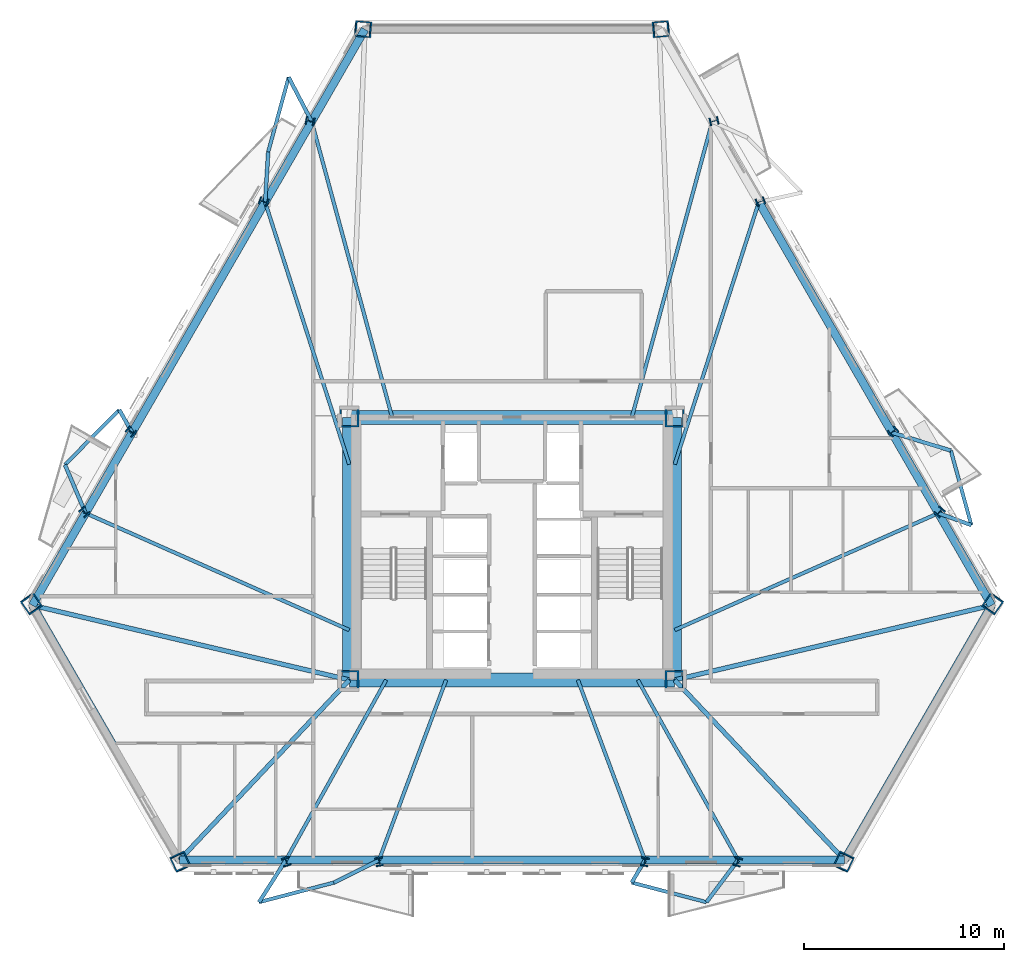
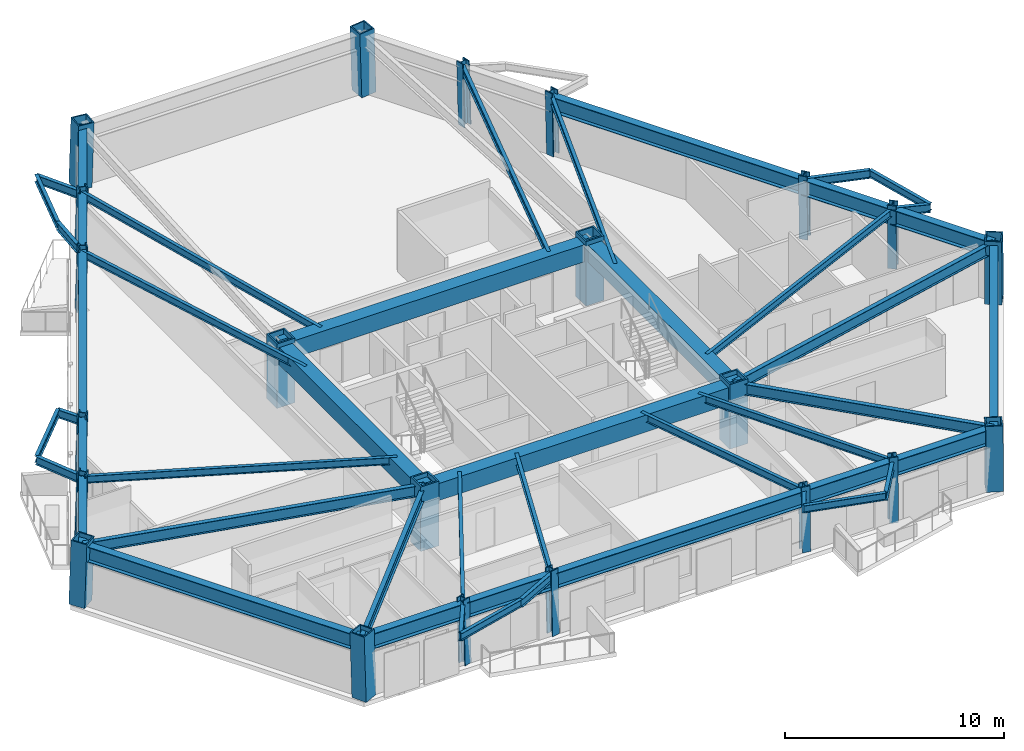
# One storey, part 1 of 12: 48 beams, 22 columns.
"""IFC4 building model written with IfcOpenShell, lengths in metres."""

from ifc_helpers import new_model, si_unit, direction, frame, origin, origin_2d, place, context, subcontext, project, spatial, rectangle, hollow_rectangle, i_section, extrude, material, material_profile, profile_set, type_object, element, save


model = new_model("IFC4")

# Units and contexts
model_context = context("Model", 3, precision=1e-05, world=origin(), true_north=direction((0.0, 1.0)))
body_context = subcontext(model_context, "Body", "Model", "MODEL_VIEW")
ifc_project = project(units=[si_unit("LENGTHUNIT", "METRE"), si_unit("AREAUNIT", "SQUARE_METRE"), si_unit("VOLUMEUNIT", "CUBIC_METRE"), si_unit("PLANEANGLEUNIT", "RADIAN"), si_unit("MASSUNIT", "GRAM", prefix="KILO")], contexts=[model_context])

# Site, building, storey
site_placement = place(None, origin())
site = spatial("IfcSite", under=ifc_project, at=site_placement, CompositionType="ELEMENT")
building_placement = place(site_placement, origin())
building = spatial("IfcBuilding", under=site, at=building_placement, Name="Oramaril Tower", CompositionType="ELEMENT")
storey_placement = place(building_placement, frame((0.0, 0.0, 45.300048828125)))
storey = spatial("IfcBuildingStorey", under=building, at=storey_placement, Name="L11", CompositionType="ELEMENT", Elevation=45.300048828125)

# Columns
ifc_material_1 = material(Name="Steel ASTM A572 Gr 50", Category="steel")
ifc_material_profile_1 = material_profile(ifc_material_1, hollow_rectangle(XDim=0.949951171875, YDim=0.949951171875, WallThickness=0.080078125, at=origin_2d()), Name="BOX950X950X80")
ifc_profile_set_1 = profile_set([ifc_material_profile_1], Name="Steel ASTM A572 Gr 50")
column_type_1 = type_object("IfcColumnType", Name="CT-CC2", PredefinedType="COLUMN", material=ifc_profile_set_1)
for number, where, z_axis, x_axis, name in (
    (1, (29.35009765625, 11.0, 0.0), (0.0, 0.0, 1.0), (1.0, 0.0, 0.0), "L11 Core Column CC-1"),
    (2, (45.64990234375, 11.0, 0.0), (0.0, 0.0, 1.0), (1.0, 0.0, 0.0), "L11 Core Column CC-2"),
    (3, (45.64990234375, 24.14990234375, 0.0), (0.0, 0.0, 1.0), (1.0, 0.0, 0.0), "L11 Core Column CC-3"),
    (4, (29.35009765625, 24.14990234375, 0.0), (0.0, 0.0, 1.0), (1.0, 0.0, 0.0), "L11 Core Column CC-4"),
):
    element("IfcColumn", number, at=place(storey_placement, frame(where, z_axis=z_axis, x_axis=x_axis)), inside=storey, type_object=column_type_1, Name=name, PredefinedType="COLUMN", context=body_context, shape_type="SweptSolid", body=[
        extrude(hollow_rectangle(XDim=0.949951171875, YDim=0.949951171875, WallThickness=0.080078125, at=origin_2d()), origin(), (0.0, 0.0, 1.0), 3.599853515625),
    ])
ifc_material_2 = material(Name="Steel ASTM A572 Gr 50", Category="steel")
ifc_material_profile_2 = material_profile(ifc_material_2, hollow_rectangle(XDim=0.800048828125, YDim=0.800048828125, WallThickness=0.06494140625, at=origin_2d()), Name="BOX800X800X65")
ifc_profile_set_2 = profile_set([ifc_material_profile_2], Name="Steel ASTM A572 Gr 50")
column_type_2 = type_object("IfcColumnType", Name="CT-TC3", PredefinedType="COLUMN", material=ifc_profile_set_2)
for number, where, z_axis, x_axis, name in (
    (5, (13.41552734375, 14.8291015625, 0.00439453125), (0.017667783295, -0.025414426739, 0.999520863388), (0.821084150481, 0.570807163436, 0.0), "L11 Tube Column TC-01"),
    (6, (20.892822265625, 1.877685546875, 0.00439453125), (-0.013114946071, 0.027996672441, 0.999521978008), (-0.90556449507, -0.424208610555, 0.0), "L11 Tube Column TC-02"),
    (7, (54.107177734375, 1.877685546875, 0.00439453125), (0.013114946071, 0.027996672441, 0.999521978008), (-0.90556449507, 0.424208610555, 0.0), "L11 Tube Column TC-03"),
    (8, (61.58447265625, 14.8291015625, 0.00439453125), (-0.017667783295, -0.025414426739, 0.999520863388), (0.821084150481, -0.570807163436, 0.0), "L11 Tube Column TC-04"),
    (9, (44.977294921875, 43.59326171875, 0.00439453125), (-0.030782773232, -0.002582219388, 0.99952276263), (0.083591619524, -0.996500095908, 0.0), "L11 Tube Column TC-05"),
    (10, (30.022705078125, 43.59326171875, 0.00439453125), (0.030782773232, -0.002582219388, 0.99952276263), (0.083591619524, 0.996500095908, 0.0), "L11 Tube Column TC-06"),
):
    element("IfcColumn", number, at=place(storey_placement, frame(where, z_axis=z_axis, x_axis=x_axis)), inside=storey, type_object=column_type_2, Name=name, PredefinedType="COLUMN", context=body_context, shape_type="SweptSolid", body=[
        extrude(hollow_rectangle(XDim=0.800048828125, YDim=0.800048828125, WallThickness=0.06494140625, at=origin_2d()), origin(), (0.0, 0.0, 1.0), 3.5927734375),
    ])
ifc_material_3 = material(Name="Steel ASTM A572 Gr 50", Category="steel")
ifc_material_profile_3 = material_profile(ifc_material_3, i_section(OverallWidth=0.410888671875, OverallDepth=0.43408203125, WebThickness=0.035888671875, FlangeThickness=0.057373046875, at=origin_2d()), Name="W14X311")
ifc_profile_set_3 = profile_set([ifc_material_profile_3], Name="Steel ASTM A572 Gr 50")
column_type_3 = type_object("IfcColumnType", Name="CT-TF2", PredefinedType="COLUMN", material=ifc_profile_set_3)
for number, where, z_axis, x_axis, name in (
    (11, (26.207275390625, 1.877685546875, 0.00439453125), (-0.008970218271, 0.027997953998, 0.99956773145), (-0.952316734925, -0.305111186918, 0.0), "L11 Tube Column TC-07"),
    (12, (30.857177734375, 1.877685546875, 0.00439453125), (-0.005232766216, 0.027998697155, 0.999594263247), (-0.982980057606, -0.18371229232, 0.0), "L11 Tube Column TC-08"),
    (13, (44.142822265625, 1.877685546875, 0.00439453125), (0.005232766216, 0.027998697155, 0.999594263247), (-0.982980057606, 0.18371229232, 0.0), "L11 Tube Column TC-09"),
    (14, (48.792724609375, 1.877685546875, 0.00439453125), (0.008970218271, 0.027997953998, 0.99956773145), (-0.952316734925, 0.305111186918, 0.0), "L11 Tube Column TC-10"),
    (15, (58.92724609375, 19.431396484375, 0.00439453125), (-0.019775257889, -0.021745988056, 0.999567932248), (0.739835449706, -0.672787862077, 0.0), "L11 Tube Column TC-11"),
    (16, (56.602294921875, 23.458251953125, 0.00439453125), (-0.02161064589, -0.018552535622, 0.999594309411), (0.651380662072, -0.758751100875, 0.0), "L11 Tube Column TC-12"),
    (17, (49.95947265625, 34.9638671875, 0.00439453125), (-0.026843448547, -0.009378217467, 0.999595657407), (0.329818081305, -0.944044508084, 0.0), "L11 Tube Column TC-13"),
    (18, (47.634521484375, 38.990966796875, 0.00439453125), (-0.028677557043, -0.006251979261, 0.999569162428), (0.213006339298, -0.977050817214, 0.0), "L11 Tube Column TC-14"),
    (19, (27.365478515625, 38.990966796875, 0.00439453125), (0.028677557043, -0.006251979261, 0.999569162428), (0.213006339298, 0.977050817214, 0.0), "L11 Tube Column TC-15"),
    (20, (25.04052734375, 34.9638671875, 0.00439453125), (0.026843448547, -0.009378217467, 0.999595657407), (0.329818081305, 0.944044508084, 0.0), "L11 Tube Column TC-16"),
    (21, (18.397705078125, 23.458251953125, 0.00439453125), (0.02161064589, -0.018552535622, 0.999594309411), (0.651380662072, 0.758751100875, 0.0), "L11 Tube Column TC-17"),
    (22, (16.07275390625, 19.431396484375, 0.00439453125), (0.019775257889, -0.021745988056, 0.999567932248), (0.739835449706, 0.672787862077, 0.0), "L11 Tube Column TC-18"),
):
    element("IfcColumn", number, at=place(storey_placement, frame(where, z_axis=z_axis, x_axis=x_axis)), inside=storey, type_object=column_type_3, Name=name, PredefinedType="COLUMN", context=body_context, shape_type="SweptSolid", body=[
        extrude(i_section(OverallWidth=0.410888671875, OverallDepth=0.43408203125, WebThickness=0.035888671875, FlangeThickness=0.057373046875, at=origin_2d()), origin(), (0.0, 0.0, 1.0), 3.592529296875),
    ])

# Beams
ifc_material_4 = material(Name="Steel ASTM A572 Gr 50", Category="steel")
ifc_material_profile_4 = material_profile(ifc_material_4, i_section(OverallWidth=0.19091796875, OverallDepth=0.45703125, WebThickness=0.009033203125, FlangeThickness=0.014404296875, at=origin_2d()), Name="W18X50")
ifc_profile_set_4 = profile_set([ifc_material_profile_4], Name="Steel ASTM A572 Gr 50")
beam_type_1 = type_object("IfcBeamType", Name="BT-BB1", PredefinedType="BEAM", material=ifc_profile_set_4)
beam_1_placement = place(storey_placement, frame((26.175048828125, 1.978271484375, 3.13134765625), z_axis=(-0.537058811346, -0.843544802103, 0.0), x_axis=(0.843544802103, -0.537058811346, 0.0)))
element("IfcBeam", 23, at=beam_1_placement, inside=storey, type_object=beam_type_1, Name="L11 Balcony Column-Framed Cantilever 01.1", PredefinedType="BEAM", context=body_context, shape_type="SweptSolid", body=[
    extrude(i_section(OverallWidth=0.19091796875, OverallDepth=0.45703125, WebThickness=0.009033203125, FlangeThickness=0.014404296875, at=origin_2d()), origin(), (0.0, 0.0, 1.0), 2.498779296875),
])
beam_2_placement = place(storey_placement, frame((30.83837890625, 1.978271484375, 3.13134765625), z_axis=(-0.894851894694, -0.446363177876, 0.0), x_axis=(0.446363177876, -0.894851894694, 0.0)))
element("IfcBeam", 24, at=beam_2_placement, inside=storey, type_object=beam_type_1, Name="L11 Balcony Column-Framed Cantilever 01.2", PredefinedType="BEAM", context=body_context, shape_type="SweptSolid", body=[
    extrude(i_section(OverallWidth=0.19091796875, OverallDepth=0.45703125, WebThickness=0.009033203125, FlangeThickness=0.014404296875, at=origin_2d()), origin(), (0.0, 0.0, 1.0), 2.52685546875),
])
beam_3_placement = place(storey_placement, frame((44.16162109375, 1.978271484375, 3.13134765625), z_axis=(-0.507207615621, -0.861823900026, 0.0), x_axis=(0.861823900026, -0.507207615621, 0.0)))
element("IfcBeam", 25, at=beam_3_placement, inside=storey, type_object=beam_type_1, Name="L11 Balcony Column-Framed Cantilever 02.1", PredefinedType="BEAM", context=body_context, shape_type="SweptSolid", body=[
    extrude(i_section(OverallWidth=0.19091796875, OverallDepth=0.45703125, WebThickness=0.009033203125, FlangeThickness=0.014404296875, at=origin_2d()), origin(), (0.0, 0.0, 1.0), 1.308837890625),
])
beam_4_placement = place(storey_placement, frame((48.824951171875, 1.978271484375, 3.13134765625), z_axis=(-0.60050369658, -0.799621979684, 0.0), x_axis=(0.799621979684, -0.60050369658, 0.0)))
element("IfcBeam", 26, at=beam_4_placement, inside=storey, type_object=beam_type_1, Name="L11 Balcony Column-Framed Cantilever 02.2", PredefinedType="BEAM", context=body_context, shape_type="SweptSolid", body=[
    extrude(i_section(OverallWidth=0.19091796875, OverallDepth=0.45703125, WebThickness=0.009033203125, FlangeThickness=0.014404296875, at=origin_2d()), origin(), (0.0, 0.0, 1.0), 2.63623046875),
])
beam_5_placement = place(storey_placement, frame((58.856201171875, 19.353271484375, 3.13134765625), z_axis=(0.939951886798, -0.341306974006, 0.0), x_axis=(0.341306974006, 0.939951886798, 0.0)))
element("IfcBeam", 27, at=beam_5_placement, inside=storey, type_object=beam_type_1, Name="L11 Balcony Column-Framed Cantilever 03.1", PredefinedType="BEAM", context=body_context, shape_type="SweptSolid", body=[
    extrude(i_section(OverallWidth=0.19091796875, OverallDepth=0.45703125, WebThickness=0.009033203125, FlangeThickness=0.014404296875, at=origin_2d()), origin(), (0.0, 0.0, 1.0), 1.753173828125),
])
beam_6_placement = place(storey_placement, frame((56.524658203125, 23.3916015625, 3.13134765625), z_axis=(0.956262635404, -0.292509439387, 0.0), x_axis=(0.292509439387, 0.956262635404, 0.0)))
element("IfcBeam", 28, at=beam_6_placement, inside=storey, type_object=beam_type_1, Name="L11 Balcony Column-Framed Cantilever 03.2", PredefinedType="BEAM", context=body_context, shape_type="SweptSolid", body=[
    extrude(i_section(OverallWidth=0.19091796875, OverallDepth=0.45703125, WebThickness=0.009033203125, FlangeThickness=0.014404296875, at=origin_2d()), origin(), (0.0, 0.0, 1.0), 3.091552734375),
])
beam_7_placement = place(storey_placement, frame((27.468505859375, 38.968505859375, 3.13134765625), z_axis=(-0.462001660246, 0.886879059359, 0.0), x_axis=(-0.886879059359, -0.462001660246, 0.0)))
element("IfcBeam", 29, at=beam_7_placement, inside=storey, type_object=beam_type_1, Name="L11 Balcony Column-Framed Cantilever 05.1", PredefinedType="BEAM", context=body_context, shape_type="SweptSolid", body=[
    extrude(i_section(OverallWidth=0.19091796875, OverallDepth=0.45703125, WebThickness=0.009033203125, FlangeThickness=0.014404296875, at=origin_2d()), origin(), (0.0, 0.0, 1.0), 2.4990234375),
])
beam_8_placement = place(storey_placement, frame((25.136962890625, 34.93017578125, 3.13134765625), z_axis=(0.060868439881, 0.99814579748, 0.0), x_axis=(-0.99814579748, 0.060868439881, 0.0)))
element("IfcBeam", 30, at=beam_8_placement, inside=storey, type_object=beam_type_1, Name="L11 Balcony Column-Framed Cantilever 05.2", PredefinedType="BEAM", context=body_context, shape_type="SweptSolid", body=[
    extrude(i_section(OverallWidth=0.19091796875, OverallDepth=0.45703125, WebThickness=0.009033203125, FlangeThickness=0.014404296875, at=origin_2d()), origin(), (0.0, 0.0, 1.0), 2.52685546875),
])
beam_9_placement = place(storey_placement, frame((18.475341796875, 23.3916015625, 3.13134765625), z_axis=(-0.492800774673, 0.870142170269, 0.0), x_axis=(-0.870142170269, -0.492800774673, 0.0)))
element("IfcBeam", 31, at=beam_9_placement, inside=storey, type_object=beam_type_1, Name="L11 Balcony Column-Framed Cantilever 06.1", PredefinedType="BEAM", context=body_context, shape_type="SweptSolid", body=[
    extrude(i_section(OverallWidth=0.19091796875, OverallDepth=0.45703125, WebThickness=0.009033203125, FlangeThickness=0.014404296875, at=origin_2d()), origin(), (0.0, 0.0, 1.0), 1.308837890625),
])
beam_10_placement = place(storey_placement, frame((16.143798828125, 19.353271484375, 3.13134765625), z_axis=(-0.392309142587, 0.919833428748, 0.0), x_axis=(-0.919833428748, -0.392309142587, 0.0)))
element("IfcBeam", 32, at=beam_10_placement, inside=storey, type_object=beam_type_1, Name="L11 Balcony Column-Framed Cantilever 06.2", PredefinedType="BEAM", context=body_context, shape_type="SweptSolid", body=[
    extrude(i_section(OverallWidth=0.19091796875, OverallDepth=0.45703125, WebThickness=0.009033203125, FlangeThickness=0.014404296875, at=origin_2d()), origin(), (0.0, 0.0, 1.0), 2.63623046875),
])
ifc_material_5 = material(Name="Concrete C50/60", Category="concrete")
ifc_material_profile_5 = material_profile(ifc_material_5, rectangle(XDim=0.699951171875, YDim=0.949951171875, at=origin_2d()), Name="CB700X950")
ifc_profile_set_5 = profile_set([ifc_material_profile_5], Name="Concrete C50/60")
beam_type_2 = type_object("IfcBeamType", Name="BT-CB1", PredefinedType="BEAM", material=ifc_profile_set_5)
beam_11_placement = place(storey_placement, frame((29.35009765625, 11.0, 2.885009765625), z_axis=(1.0, 0.0, 0.0), x_axis=(0.0, 1.0, 0.0)))
element("IfcBeam", 33, at=beam_11_placement, inside=storey, type_object=beam_type_2, Name="L11 Core Header Beam CB-1", PredefinedType="BEAM", context=body_context, shape_type="SweptSolid", body=[
    extrude(rectangle(XDim=0.699951171875, YDim=0.949951171875, at=origin_2d()), origin(), (0.0, 0.0, 1.0), 16.2998046875),
])
beam_12_placement = place(storey_placement, frame((45.64990234375, 11.0, 2.885009765625), z_axis=(0.0, 1.0, 0.0), x_axis=(-1.0, 0.0, 0.0)))
element("IfcBeam", 34, at=beam_12_placement, inside=storey, type_object=beam_type_2, Name="L11 Core Header Beam CB-2", PredefinedType="BEAM", context=body_context, shape_type="SweptSolid", body=[
    extrude(rectangle(XDim=0.699951171875, YDim=0.949951171875, at=origin_2d()), origin(), (0.0, 0.0, 1.0), 13.14990234375),
])
beam_13_placement = place(storey_placement, frame((45.64990234375, 24.14990234375, 2.885009765625), z_axis=(-1.0, 0.0, 0.0), x_axis=(0.0, -1.0, 0.0)))
element("IfcBeam", 35, at=beam_13_placement, inside=storey, type_object=beam_type_2, Name="L11 Core Header Beam CB-3", PredefinedType="BEAM", context=body_context, shape_type="SweptSolid", body=[
    extrude(rectangle(XDim=0.699951171875, YDim=0.949951171875, at=origin_2d()), origin(), (0.0, 0.0, 1.0), 16.2998046875),
])
beam_14_placement = place(storey_placement, frame((29.35009765625, 24.14990234375, 2.885009765625), z_axis=(0.0, -1.0, 0.0), x_axis=(1.0, 0.0, 0.0)))
element("IfcBeam", 36, at=beam_14_placement, inside=storey, type_object=beam_type_2, Name="L11 Core Header Beam CB-4", PredefinedType="BEAM", context=body_context, shape_type="SweptSolid", body=[
    extrude(rectangle(XDim=0.699951171875, YDim=0.949951171875, at=origin_2d()), origin(), (0.0, 0.0, 1.0), 13.14990234375),
])
ifc_material_6 = material(Name="Steel ASTM A572 Gr 50", Category="steel")
ifc_material_profile_6 = material_profile(ifc_material_6, i_section(OverallWidth=0.22900390625, OverallDepth=0.612060546875, WebThickness=0.011962890625, FlangeThickness=0.01953125, at=origin_2d()), Name="W24X84")
ifc_profile_set_6 = profile_set([ifc_material_profile_6], Name="Steel ASTM A572 Gr 50")
beam_type_3 = type_object("IfcBeamType", Name="BT-FB1", PredefinedType="BEAM", material=ifc_profile_set_6)
beam_15_placement = place(storey_placement, frame((29.35009765625, 11.0, 3.053955078125), z_axis=(-0.973370412402, 0.229237955542, 0.0), x_axis=(-0.229237955542, -0.973370412402, 0.0)))
element("IfcBeam", 37, at=beam_15_placement, inside=storey, type_object=beam_type_3, Name="L11 Radial Primary Beam RB-01", PredefinedType="BEAM", context=body_context, shape_type="SweptSolid", body=[
    extrude(i_section(OverallWidth=0.22900390625, OverallDepth=0.612060546875, WebThickness=0.011962890625, FlangeThickness=0.01953125, at=origin_2d()), origin(), (0.0, 0.0, 1.0), 16.30517578125),
])
for number, where, z_axis, x_axis, name in (
    (38, (29.35009765625, 11.0, 3.053955078125), (-0.685935723964, -0.727662134916, 0.0), (0.727662134916, -0.685935723964, 0.0), "L11 Radial Primary Beam RB-02"),
    (39, (45.64990234375, 11.0, 3.053955078125), (0.685935723964, -0.727662134916, 0.0), (0.727662134916, 0.685935723964, 0.0), "L11 Radial Primary Beam RB-03"),
):
    element("IfcBeam", number, at=place(storey_placement, frame(where, z_axis=z_axis, x_axis=x_axis)), inside=storey, type_object=beam_type_3, Name=name, PredefinedType="BEAM", context=body_context, shape_type="SweptSolid", body=[
        extrude(i_section(OverallWidth=0.22900390625, OverallDepth=0.612060546875, WebThickness=0.011962890625, FlangeThickness=0.01953125, at=origin_2d()), origin(), (0.0, 0.0, 1.0), 12.398193359375),
    ])
beam_16_placement = place(storey_placement, frame((45.64990234375, 11.0, 3.053955078125), z_axis=(0.973370412402, 0.229237955542, 0.0), x_axis=(-0.229237955542, 0.973370412402, 0.0)))
element("IfcBeam", 40, at=beam_16_placement, inside=storey, type_object=beam_type_3, Name="L11 Radial Primary Beam RB-04", PredefinedType="BEAM", context=body_context, shape_type="SweptSolid", body=[
    extrude(i_section(OverallWidth=0.22900390625, OverallDepth=0.612060546875, WebThickness=0.011962890625, FlangeThickness=0.01953125, at=origin_2d()), origin(), (0.0, 0.0, 1.0), 16.30517578125),
])
ifc_material_7 = material(Name="Steel ASTM A572 Gr 50", Category="steel")
ifc_material_profile_7 = material_profile(ifc_material_7, i_section(OverallWidth=0.177978515625, OverallDepth=0.404052734375, WebThickness=0.007568359375, FlangeThickness=0.010986328125, at=origin_2d()), Name="W16X36")
ifc_profile_set_7 = profile_set([ifc_material_profile_7], Name="Steel ASTM A572 Gr 50")
beam_type_4 = type_object("IfcBeamType", Name="BT-SB1", PredefinedType="BEAM", material=ifc_profile_set_7)
beam_17_placement = place(storey_placement, frame((31.199951171875, 11.0, 3.157958984375), z_axis=(-0.486592101647, -0.873629284431, 0.0), x_axis=(0.873629284431, -0.486592101647, 0.0)))
element("IfcBeam", 41, at=beam_17_placement, inside=storey, type_object=beam_type_4, Name="L11 Secondary Floor Beam SB-01", PredefinedType="BEAM", context=body_context, shape_type="SweptSolid", body=[
    extrude(i_section(OverallWidth=0.177978515625, OverallDepth=0.404052734375, WebThickness=0.007568359375, FlangeThickness=0.010986328125, at=origin_2d()), origin(), (0.0, 0.0, 1.0), 10.32666015625),
])
for number, where, z_axis, x_axis, name in (
    (42, (34.199951171875, 11.0, 3.157958984375), (-0.34915792425, -0.937063895331, 0.0), (0.937063895331, -0.34915792425, 0.0), "L11 Secondary Floor Beam SB-02"),
    (43, (40.800048828125, 11.0, 3.157958984375), (0.34915792425, -0.937063895331, 0.0), (0.937063895331, 0.34915792425, 0.0), "L11 Secondary Floor Beam SB-03"),
):
    element("IfcBeam", number, at=place(storey_placement, frame(where, z_axis=z_axis, x_axis=x_axis)), inside=storey, type_object=beam_type_4, Name=name, PredefinedType="BEAM", context=body_context, shape_type="SweptSolid", body=[
        extrude(i_section(OverallWidth=0.177978515625, OverallDepth=0.404052734375, WebThickness=0.007568359375, FlangeThickness=0.010986328125, at=origin_2d()), origin(), (0.0, 0.0, 1.0), 9.627685546875),
    ])
beam_18_placement = place(storey_placement, frame((43.800048828125, 11.0, 3.157958984375), z_axis=(0.486592101647, -0.873629284431, 0.0), x_axis=(0.873629284431, 0.486592101647, 0.0)))
element("IfcBeam", 44, at=beam_18_placement, inside=storey, type_object=beam_type_4, Name="L11 Secondary Floor Beam SB-04", PredefinedType="BEAM", context=body_context, shape_type="SweptSolid", body=[
    extrude(i_section(OverallWidth=0.177978515625, OverallDepth=0.404052734375, WebThickness=0.007568359375, FlangeThickness=0.010986328125, at=origin_2d()), origin(), (0.0, 0.0, 1.0), 10.32666015625),
])
beam_19_placement = place(storey_placement, frame((45.64990234375, 13.5, 3.157958984375), z_axis=(0.914227147918, 0.405202075524, 0.0), x_axis=(-0.405202075524, 0.914227147918, 0.0)))
element("IfcBeam", 45, at=beam_19_placement, inside=storey, type_object=beam_type_4, Name="L11 Secondary Floor Beam SB-05", PredefinedType="BEAM", context=body_context, shape_type="SweptSolid", body=[
    extrude(i_section(OverallWidth=0.177978515625, OverallDepth=0.404052734375, WebThickness=0.007568359375, FlangeThickness=0.010986328125, at=origin_2d()), origin(), (0.0, 0.0, 1.0), 14.4453125),
])
beam_20_placement = place(storey_placement, frame((45.64990234375, 21.800048828125, 3.157958984375), z_axis=(0.305531746826, 0.95218189002, 0.0), x_axis=(-0.95218189002, 0.305531746826, 0.0)))
element("IfcBeam", 46, at=beam_20_placement, inside=storey, type_object=beam_type_4, Name="L11 Secondary Floor Beam SB-06", PredefinedType="BEAM", context=body_context, shape_type="SweptSolid", body=[
    extrude(i_section(OverallWidth=0.177978515625, OverallDepth=0.404052734375, WebThickness=0.007568359375, FlangeThickness=0.010986328125, at=origin_2d()), origin(), (0.0, 0.0, 1.0), 13.78955078125),
])
for number, where, z_axis, x_axis, name in (
    (47, (43.5, 24.14990234375, 3.157958984375), (0.262514718526, 0.964927988275, 0.0), (-0.964927988275, 0.262514718526, 0.0), "L11 Secondary Floor Beam SB-07"),
    (48, (31.5, 24.14990234375, 3.157958984375), (-0.262514718526, 0.964927988275, 0.0), (-0.964927988275, -0.262514718526, 0.0), "L11 Secondary Floor Beam SB-08"),
):
    element("IfcBeam", number, at=place(storey_placement, frame(where, z_axis=z_axis, x_axis=x_axis)), inside=storey, type_object=beam_type_4, Name=name, PredefinedType="BEAM", context=body_context, shape_type="SweptSolid", body=[
        extrude(i_section(OverallWidth=0.177978515625, OverallDepth=0.404052734375, WebThickness=0.007568359375, FlangeThickness=0.010986328125, at=origin_2d()), origin(), (0.0, 0.0, 1.0), 15.357177734375),
    ])
beam_21_placement = place(storey_placement, frame((29.35009765625, 21.800048828125, 3.157958984375), z_axis=(-0.305531746826, 0.95218189002, 0.0), x_axis=(-0.95218189002, -0.305531746826, 0.0)))
element("IfcBeam", 49, at=beam_21_placement, inside=storey, type_object=beam_type_4, Name="L11 Secondary Floor Beam SB-09", PredefinedType="BEAM", context=body_context, shape_type="SweptSolid", body=[
    extrude(i_section(OverallWidth=0.177978515625, OverallDepth=0.404052734375, WebThickness=0.007568359375, FlangeThickness=0.010986328125, at=origin_2d()), origin(), (0.0, 0.0, 1.0), 13.78955078125),
])
beam_22_placement = place(storey_placement, frame((29.35009765625, 13.5, 3.157958984375), z_axis=(-0.914227147918, 0.405202075524, 0.0), x_axis=(-0.405202075524, -0.914227147918, 0.0)))
element("IfcBeam", 50, at=beam_22_placement, inside=storey, type_object=beam_type_4, Name="L11 Secondary Floor Beam SB-10", PredefinedType="BEAM", context=body_context, shape_type="SweptSolid", body=[
    extrude(i_section(OverallWidth=0.177978515625, OverallDepth=0.404052734375, WebThickness=0.007568359375, FlangeThickness=0.010986328125, at=origin_2d()), origin(), (0.0, 0.0, 1.0), 14.4453125),
])
for number, where, z_axis, x_axis, name in (
    (51, (24.8330078125, -0.129638671875, 3.157958984375), (0.967411967632, 0.253207592467, 0.0), (-0.253207592467, 0.967411967632, 0.0), "L11 Balcony Edge Tie Beam 01"),
    (52, (43.497802734375, 0.850341796875, 3.157958984375), (0.967411967632, -0.253207592467, 0.0), (0.253207592467, 0.967411967632, 0.0), "L11 Balcony Edge Tie Beam 02"),
):
    element("IfcBeam", number, at=place(storey_placement, frame(where, z_axis=z_axis, x_axis=x_axis)), inside=storey, type_object=beam_type_4, Name=name, PredefinedType="BEAM", context=body_context, shape_type="SweptSolid", body=[
        extrude(i_section(OverallWidth=0.177978515625, OverallDepth=0.404052734375, WebThickness=0.007568359375, FlangeThickness=0.010986328125, at=origin_2d()), origin(), (0.0, 0.0, 1.0), 3.870361328125),
    ])
for number, where, z_axis, x_axis, name in (
    (53, (60.504150390625, 18.7548828125, 3.157958984375), (-0.264382243015, 0.964417974521, 0.0), (-0.964417974521, -0.264382243015, 0.0), "L11 Balcony Edge Tie Beam 03"),
    (54, (26.31396484375, 41.184814453125, 3.157958984375), (-0.264382243015, -0.964417974521, 0.0), (0.964417974521, -0.264382243015, 0.0), "L11 Balcony Edge Tie Beam 05"),
    (55, (17.830322265625, 24.530517578125, 3.157958984375), (-0.702994511648, -0.71119527318, 0.0), (0.71119527318, -0.702994511648, 0.0), "L11 Balcony Edge Tie Beam 06"),
):
    element("IfcBeam", number, at=place(storey_placement, frame(where, z_axis=z_axis, x_axis=x_axis)), inside=storey, type_object=beam_type_4, Name=name, PredefinedType="BEAM", context=body_context, shape_type="SweptSolid", body=[
        extrude(i_section(OverallWidth=0.177978515625, OverallDepth=0.404052734375, WebThickness=0.007568359375, FlangeThickness=0.010986328125, at=origin_2d()), origin(), (0.0, 0.0, 1.0), 3.8701171875),
    ])
ifc_material_8 = material(Name="Steel ASTM A572 Gr 50", Category="steel")
ifc_material_profile_8 = material_profile(ifc_material_8, i_section(OverallWidth=0.40087890625, OverallDepth=0.85595703125, WebThickness=0.018310546875, FlangeThickness=0.029296875, at=origin_2d()), Name="W33X201")
ifc_profile_set_8 = profile_set([ifc_material_profile_8], Name="Steel ASTM A572 Gr 50")
beam_type_5 = type_object("IfcBeamType", Name="BT-SP1", PredefinedType="SPANDREL", material=ifc_profile_set_8)
beam_23_placement = place(storey_placement, frame((13.47900390625, 14.73779296875, 2.931884765625), z_axis=(0.499999290135, -0.866025813625, 0.0), x_axis=(0.866025813625, 0.499999290135, 0.0)))
element("IfcBeam", 56, at=beam_23_placement, inside=storey, type_object=beam_type_5, Name="L11 Perimeter Spandrel 01", PredefinedType="SPANDREL", context=body_context, shape_type="SweptSolid", body=[
    extrude(i_section(OverallWidth=0.40087890625, OverallDepth=0.85595703125, WebThickness=0.018310546875, FlangeThickness=0.029296875, at=origin_2d()), origin(), (0.0, 0.0, 1.0), 14.7333984375),
])
beam_24_placement = place(storey_placement, frame((20.845703125, 1.978271484375, 2.931884765625), z_axis=(1.0, 0.0, 0.0), x_axis=(0.0, 1.0, 0.0)))
element("IfcBeam", 57, at=beam_24_placement, inside=storey, type_object=beam_type_5, Name="L11 Perimeter Spandrel 02", PredefinedType="SPANDREL", context=body_context, shape_type="SweptSolid", body=[
    extrude(i_section(OverallWidth=0.40087890625, OverallDepth=0.85595703125, WebThickness=0.018310546875, FlangeThickness=0.029296875, at=origin_2d()), origin(), (0.0, 0.0, 1.0), 5.329345703125),
])
beam_25_placement = place(storey_placement, frame((26.175048828125, 1.978271484375, 2.931884765625), z_axis=(1.0, 0.0, 0.0), x_axis=(0.0, 1.0, 0.0)))
element("IfcBeam", 58, at=beam_25_placement, inside=storey, type_object=beam_type_5, Name="L11 Perimeter Spandrel 03", PredefinedType="SPANDREL", context=body_context, shape_type="SweptSolid", body=[
    extrude(i_section(OverallWidth=0.40087890625, OverallDepth=0.85595703125, WebThickness=0.018310546875, FlangeThickness=0.029296875, at=origin_2d()), origin(), (0.0, 0.0, 1.0), 4.663330078125),
])
beam_26_placement = place(storey_placement, frame((30.83837890625, 1.978271484375, 2.931884765625), z_axis=(1.0, 0.0, 0.0), x_axis=(0.0, 1.0, 0.0)))
element("IfcBeam", 59, at=beam_26_placement, inside=storey, type_object=beam_type_5, Name="L11 Perimeter Spandrel 04", PredefinedType="SPANDREL", context=body_context, shape_type="SweptSolid", body=[
    extrude(i_section(OverallWidth=0.40087890625, OverallDepth=0.85595703125, WebThickness=0.018310546875, FlangeThickness=0.029296875, at=origin_2d()), origin(), (0.0, 0.0, 1.0), 13.3232421875),
])
beam_27_placement = place(storey_placement, frame((44.16162109375, 1.978271484375, 2.931884765625), z_axis=(1.0, 0.0, 0.0), x_axis=(0.0, 1.0, 0.0)))
element("IfcBeam", 60, at=beam_27_placement, inside=storey, type_object=beam_type_5, Name="L11 Perimeter Spandrel 05", PredefinedType="SPANDREL", context=body_context, shape_type="SweptSolid", body=[
    extrude(i_section(OverallWidth=0.40087890625, OverallDepth=0.85595703125, WebThickness=0.018310546875, FlangeThickness=0.029296875, at=origin_2d()), origin(), (0.0, 0.0, 1.0), 4.663330078125),
])
beam_28_placement = place(storey_placement, frame((48.824951171875, 1.978271484375, 2.931884765625), z_axis=(1.0, 0.0, 0.0), x_axis=(0.0, 1.0, 0.0)))
element("IfcBeam", 61, at=beam_28_placement, inside=storey, type_object=beam_type_5, Name="L11 Perimeter Spandrel 06", PredefinedType="SPANDREL", context=body_context, shape_type="SweptSolid", body=[
    extrude(i_section(OverallWidth=0.40087890625, OverallDepth=0.85595703125, WebThickness=0.018310546875, FlangeThickness=0.029296875, at=origin_2d()), origin(), (0.0, 0.0, 1.0), 5.329345703125),
])
beam_29_placement = place(storey_placement, frame((54.154296875, 1.978271484375, 2.931884765625), z_axis=(0.499999290135, 0.866025813625, 0.0), x_axis=(-0.866025813625, 0.499999290135, 0.0)))
element("IfcBeam", 62, at=beam_29_placement, inside=storey, type_object=beam_type_5, Name="L11 Perimeter Spandrel 07", PredefinedType="SPANDREL", context=body_context, shape_type="SweptSolid", body=[
    extrude(i_section(OverallWidth=0.40087890625, OverallDepth=0.85595703125, WebThickness=0.018310546875, FlangeThickness=0.029296875, at=origin_2d()), origin(), (0.0, 0.0, 1.0), 14.7333984375),
])
beam_30_placement = place(storey_placement, frame((61.52099609375, 14.73779296875, 2.931884765625), z_axis=(-0.500006636387, 0.866021572231, 0.0), x_axis=(-0.866021572231, -0.500006636387, 0.0)))
element("IfcBeam", 63, at=beam_30_placement, inside=storey, type_object=beam_type_5, Name="L11 Perimeter Spandrel 08", PredefinedType="SPANDREL", context=body_context, shape_type="SweptSolid", body=[
    extrude(i_section(OverallWidth=0.40087890625, OverallDepth=0.85595703125, WebThickness=0.018310546875, FlangeThickness=0.029296875, at=origin_2d()), origin(), (0.0, 0.0, 1.0), 5.32958984375),
])
beam_31_placement = place(storey_placement, frame((58.856201171875, 19.353271484375, 2.931884765625), z_axis=(-0.500001931839, 0.866024288434, 0.0), x_axis=(-0.866024288434, -0.500001931839, 0.0)))
element("IfcBeam", 64, at=beam_31_placement, inside=storey, type_object=beam_type_5, Name="L11 Perimeter Spandrel 09", PredefinedType="SPANDREL", context=body_context, shape_type="SweptSolid", body=[
    extrude(i_section(OverallWidth=0.40087890625, OverallDepth=0.85595703125, WebThickness=0.018310546875, FlangeThickness=0.029296875, at=origin_2d()), origin(), (0.0, 0.0, 1.0), 4.6630859375),
])
beam_32_placement = place(storey_placement, frame((56.524658203125, 23.3916015625, 2.931884765625), z_axis=(-0.49998998923, 0.866031183428, 0.0), x_axis=(-0.866031183428, -0.49998998923, 0.0)))
element("IfcBeam", 65, at=beam_32_placement, inside=storey, type_object=beam_type_5, Name="L11 Perimeter Spandrel 10", PredefinedType="SPANDREL", context=body_context, shape_type="SweptSolid", body=[
    extrude(i_section(OverallWidth=0.40087890625, OverallDepth=0.85595703125, WebThickness=0.018310546875, FlangeThickness=0.029296875, at=origin_2d()), origin(), (0.0, 0.0, 1.0), 13.323486328125),
])
beam_33_placement = place(storey_placement, frame((30.13330078125, 43.583984375, 2.931884765625), z_axis=(-0.500006636387, -0.866021572231, 0.0), x_axis=(0.866021572231, -0.500006636387, 0.0)))
element("IfcBeam", 66, at=beam_33_placement, inside=storey, type_object=beam_type_5, Name="L11 Perimeter Spandrel 14", PredefinedType="SPANDREL", context=body_context, shape_type="SweptSolid", body=[
    extrude(i_section(OverallWidth=0.40087890625, OverallDepth=0.85595703125, WebThickness=0.018310546875, FlangeThickness=0.029296875, at=origin_2d()), origin(), (0.0, 0.0, 1.0), 5.32958984375),
])
beam_34_placement = place(storey_placement, frame((27.468505859375, 38.968505859375, 2.931884765625), z_axis=(-0.500001931839, -0.866024288434, 0.0), x_axis=(0.866024288434, -0.500001931839, 0.0)))
element("IfcBeam", 67, at=beam_34_placement, inside=storey, type_object=beam_type_5, Name="L11 Perimeter Spandrel 15", PredefinedType="SPANDREL", context=body_context, shape_type="SweptSolid", body=[
    extrude(i_section(OverallWidth=0.40087890625, OverallDepth=0.85595703125, WebThickness=0.018310546875, FlangeThickness=0.029296875, at=origin_2d()), origin(), (0.0, 0.0, 1.0), 4.6630859375),
])
beam_35_placement = place(storey_placement, frame((25.136962890625, 34.93017578125, 2.931884765625), z_axis=(-0.49998998923, -0.866031183428, 0.0), x_axis=(0.866031183428, -0.49998998923, 0.0)))
element("IfcBeam", 68, at=beam_35_placement, inside=storey, type_object=beam_type_5, Name="L11 Perimeter Spandrel 16", PredefinedType="SPANDREL", context=body_context, shape_type="SweptSolid", body=[
    extrude(i_section(OverallWidth=0.40087890625, OverallDepth=0.85595703125, WebThickness=0.018310546875, FlangeThickness=0.029296875, at=origin_2d()), origin(), (0.0, 0.0, 1.0), 13.323486328125),
])
beam_36_placement = place(storey_placement, frame((18.475341796875, 23.3916015625, 2.931884765625), z_axis=(-0.500001931839, -0.866024288434, 0.0), x_axis=(0.866024288434, -0.500001931839, 0.0)))
element("IfcBeam", 69, at=beam_36_placement, inside=storey, type_object=beam_type_5, Name="L11 Perimeter Spandrel 17", PredefinedType="SPANDREL", context=body_context, shape_type="SweptSolid", body=[
    extrude(i_section(OverallWidth=0.40087890625, OverallDepth=0.85595703125, WebThickness=0.018310546875, FlangeThickness=0.029296875, at=origin_2d()), origin(), (0.0, 0.0, 1.0), 4.6630859375),
])
beam_37_placement = place(storey_placement, frame((16.143798828125, 19.353271484375, 2.931884765625), z_axis=(-0.500006636387, -0.866021572231, 0.0), x_axis=(0.866021572231, -0.500006636387, 0.0)))
element("IfcBeam", 70, at=beam_37_placement, inside=storey, type_object=beam_type_5, Name="L11 Perimeter Spandrel 18", PredefinedType="SPANDREL", context=body_context, shape_type="SweptSolid", body=[
    extrude(i_section(OverallWidth=0.40087890625, OverallDepth=0.85595703125, WebThickness=0.018310546875, FlangeThickness=0.029296875, at=origin_2d()), origin(), (0.0, 0.0, 1.0), 5.32958984375),
])

save(model, "model.ifc")
